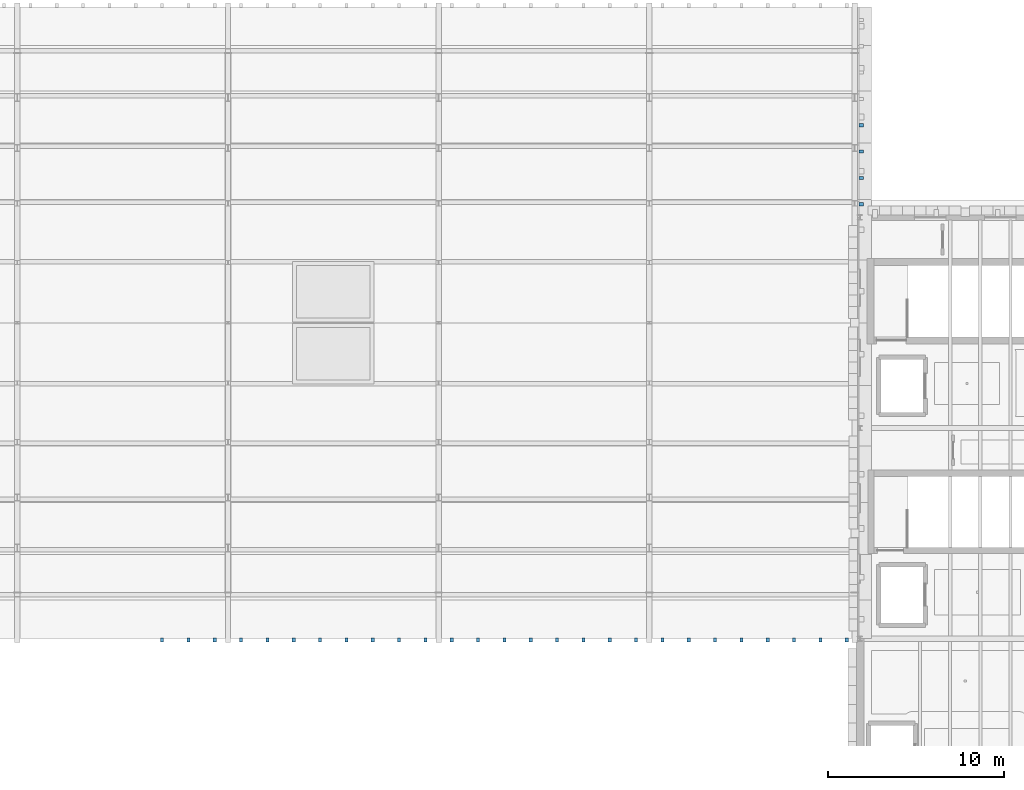
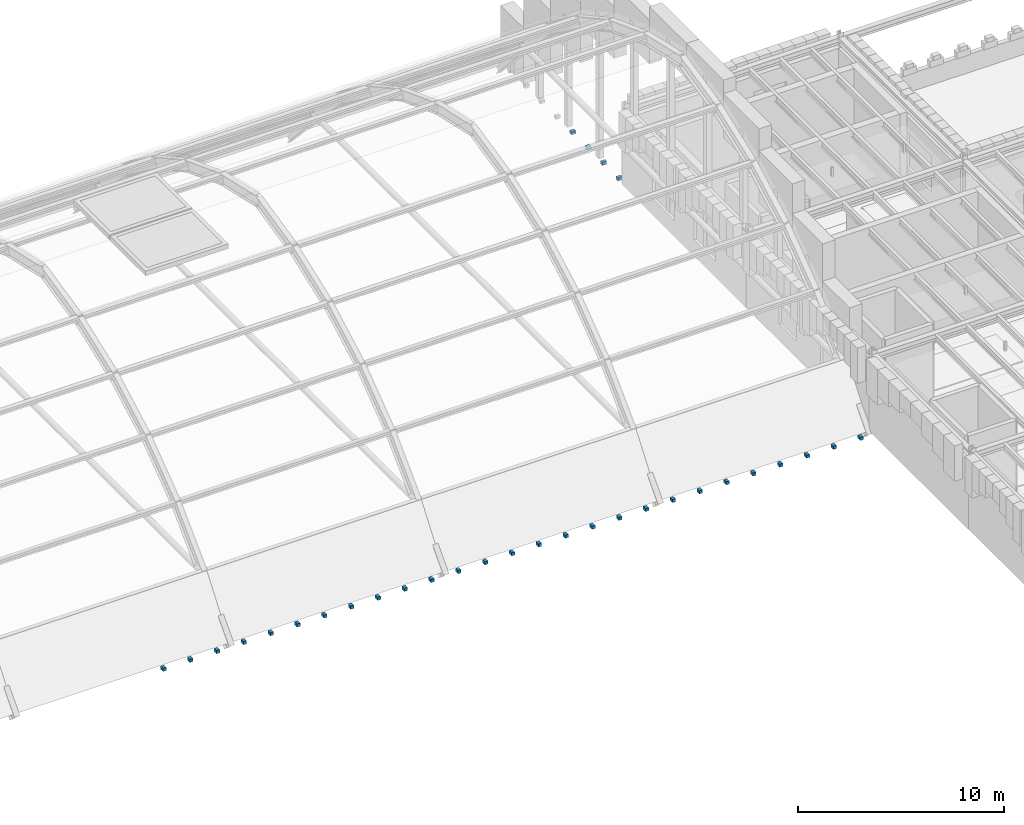
# One storey, part 22 of 35: 31 discrete accessories.
"""IFC4 building model written with IfcOpenShell, lengths in metres."""

from ifc_helpers import new_model, si_unit, direction, frame, origin, origin_2d, place, context, subcontext, project, spatial, rectangle, extrude, material, type_object, element, save


model = new_model("IFC4")

# Units and contexts
model_context = context("Model", 3, precision=1e-05, world=origin(), true_north=direction((0.0, 1.0)))
body_context = subcontext(model_context, "Body", "Model", "MODEL_VIEW")
ifc_project = project(units=[si_unit("LENGTHUNIT", "METRE"), si_unit("AREAUNIT", "SQUARE_METRE"), si_unit("VOLUMEUNIT", "CUBIC_METRE"), si_unit("PLANEANGLEUNIT", "RADIAN"), si_unit("MASSUNIT", "GRAM", prefix="KILO")], contexts=[model_context])

# Site, building, storey
site_placement = place(None, origin())
site = spatial("IfcSite", under=ifc_project, at=site_placement, CompositionType="ELEMENT")
building_placement = place(site_placement, origin())
building = spatial("IfcBuilding", under=site, at=building_placement, Name="Zlatogorsky Bluff Art Gallery", CompositionType="ELEMENT")
storey_placement = place(building_placement, frame((0.0, 0.0, 23.39990234375)))
storey = spatial("IfcBuildingStorey", under=building, at=storey_placement, Name="L04", CompositionType="ELEMENT", Elevation=23.39990234375)

# Discrete accessories
ifc_material = material(Name="Steel S355", Category="steel")
discrete_accessory_type = type_object("IfcDiscreteAccessoryType", Name="Stainless Facade Fin Bracket BRK-01", PredefinedType="BRACKET", material=ifc_material)
for number, where, z_axis, x_axis, name in (
    (1, (80.25, 83.919921875, -0.22998046875), (0.0, 0.0, 1.0), (1.0, 0.0, 0.0), "Fin slab-edge bracket S.045.L04"),
    (2, (81.75, 83.919921875, -0.22998046875), (0.0, 0.0, 1.0), (1.0, 0.0, 0.0), "Fin slab-edge bracket S.046.L04"),
    (3, (83.25, 83.919921875, -0.22998046875), (0.0, 0.0, 1.0), (1.0, 0.0, 0.0), "Fin slab-edge bracket S.047.L04"),
    (4, (84.75, 83.919921875, -0.22998046875), (0.0, 0.0, 1.0), (1.0, 0.0, 0.0), "Fin slab-edge bracket S.048.L04"),
    (5, (86.25, 83.919921875, -0.22998046875), (0.0, 0.0, 1.0), (1.0, 0.0, 0.0), "Fin slab-edge bracket S.049.L04"),
    (6, (87.75, 83.919921875, -0.22998046875), (0.0, 0.0, 1.0), (1.0, 0.0, 0.0), "Fin slab-edge bracket S.050.L04"),
    (7, (89.25, 83.919921875, -0.22998046875), (0.0, 0.0, 1.0), (1.0, 0.0, 0.0), "Fin slab-edge bracket S.051.L04"),
    (8, (90.75, 83.919921875, -0.22998046875), (0.0, 0.0, 1.0), (1.0, 0.0, 0.0), "Fin slab-edge bracket S.052.L04"),
    (9, (92.25, 83.919921875, -0.22998046875), (0.0, 0.0, 1.0), (1.0, 0.0, 0.0), "Fin slab-edge bracket S.053.L04"),
    (10, (93.75, 83.919921875, -0.22998046875), (0.0, 0.0, 1.0), (1.0, 0.0, 0.0), "Fin slab-edge bracket S.054.L04"),
    (11, (95.25, 83.919921875, -0.22998046875), (0.0, 0.0, 1.0), (1.0, 0.0, 0.0), "Fin slab-edge bracket S.055.L04"),
    (12, (96.75, 83.919921875, -0.22998046875), (0.0, 0.0, 1.0), (1.0, 0.0, 0.0), "Fin slab-edge bracket S.056.L04"),
    (13, (98.25, 83.919921875, -0.22998046875), (0.0, 0.0, 1.0), (1.0, 0.0, 0.0), "Fin slab-edge bracket S.057.L04"),
    (14, (99.75, 83.919921875, -0.22998046875), (0.0, 0.0, 1.0), (1.0, 0.0, 0.0), "Fin slab-edge bracket S.058.L04"),
    (15, (101.25, 83.919921875, -0.22998046875), (0.0, 0.0, 1.0), (1.0, 0.0, 0.0), "Fin slab-edge bracket S.059.L04"),
    (16, (102.75, 83.919921875, -0.22998046875), (0.0, 0.0, 1.0), (1.0, 0.0, 0.0), "Fin slab-edge bracket S.060.L04"),
    (17, (104.25, 83.919921875, -0.22998046875), (0.0, 0.0, 1.0), (1.0, 0.0, 0.0), "Fin slab-edge bracket S.061.L04"),
    (18, (105.75, 83.919921875, -0.22998046875), (0.0, 0.0, 1.0), (1.0, 0.0, 0.0), "Fin slab-edge bracket S.062.L04"),
    (19, (107.25, 83.919921875, -0.22998046875), (0.0, 0.0, 1.0), (1.0, 0.0, 0.0), "Fin slab-edge bracket S.063.L04"),
    (20, (108.75, 83.919921875, -0.22998046875), (0.0, 0.0, 1.0), (1.0, 0.0, 0.0), "Fin slab-edge bracket S.064.L04"),
    (21, (110.25, 83.919921875, -0.22998046875), (0.0, 0.0, 1.0), (1.0, 0.0, 0.0), "Fin slab-edge bracket S.065.L04"),
    (22, (111.75, 83.919921875, -0.22998046875), (0.0, 0.0, 1.0), (1.0, 0.0, 0.0), "Fin slab-edge bracket S.066.L04"),
    (23, (113.25, 83.919921875, -0.22998046875), (0.0, 0.0, 1.0), (1.0, 0.0, 0.0), "Fin slab-edge bracket S.067.L04"),
    (24, (114.75, 83.919921875, -0.22998046875), (0.0, 0.0, 1.0), (1.0, 0.0, 0.0), "Fin slab-edge bracket S.068.L04"),
    (25, (116.25, 83.919921875, -0.22998046875), (0.0, 0.0, 1.0), (1.0, 0.0, 0.0), "Fin slab-edge bracket S.069.L04"),
    (26, (117.75, 83.919921875, -0.22998046875), (0.0, 0.0, 1.0), (1.0, 0.0, 0.0), "Fin slab-edge bracket S.070.L04"),
    (27, (119.25, 83.919921875, -0.22998046875), (0.0, 0.0, 1.0), (1.0, 0.0, 0.0), "Fin slab-edge bracket S.071.L04"),
):
    element("IfcDiscreteAccessory", number, at=place(storey_placement, frame(where, z_axis=z_axis, x_axis=x_axis)), inside=storey, type_object=discrete_accessory_type, Name=name, PredefinedType="BRACKET", context=body_context, shape_type="SweptSolid", body=[
        extrude(rectangle(XDim=0.179931640625, YDim=0.239990234375, at=origin_2d()), origin(), (0.0, 0.0, 1.0), 0.179931640625),
    ])
for number, where, z_axis, x_axis, name in (
    (28, (120.080078125, 108.75, -0.22998046875), (0.0, 0.0, 1.0), (1.0, 0.0, 0.0), "Fin slab-edge bracket E.160.L04"),
    (29, (120.080078125, 110.25, -0.22998046875), (0.0, 0.0, 1.0), (1.0, 0.0, 0.0), "Fin slab-edge bracket E.161.L04"),
    (30, (120.080078125, 111.75, -0.22998046875), (0.0, 0.0, 1.0), (1.0, 0.0, 0.0), "Fin slab-edge bracket E.162.L04"),
    (31, (120.080078125, 113.25, -0.22998046875), (0.0, 0.0, 1.0), (1.0, 0.0, 0.0), "Fin slab-edge bracket E.163.L04"),
):
    element("IfcDiscreteAccessory", number, at=place(storey_placement, frame(where, z_axis=z_axis, x_axis=x_axis)), inside=storey, type_object=discrete_accessory_type, Name=name, PredefinedType="BRACKET", context=body_context, shape_type="SweptSolid", body=[
        extrude(rectangle(XDim=0.239990234375, YDim=0.179931640625, at=origin_2d()), origin(), (0.0, 0.0, 1.0), 0.179931640625),
    ])

save(model, "model.ifc")
